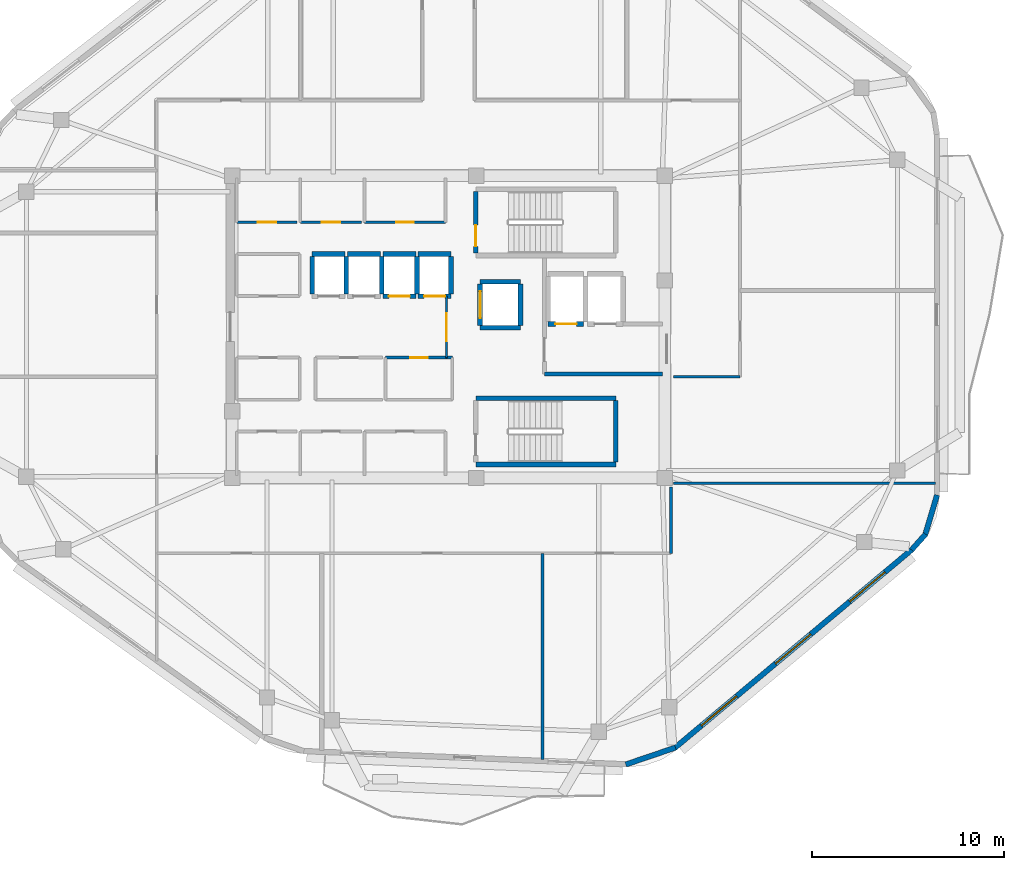
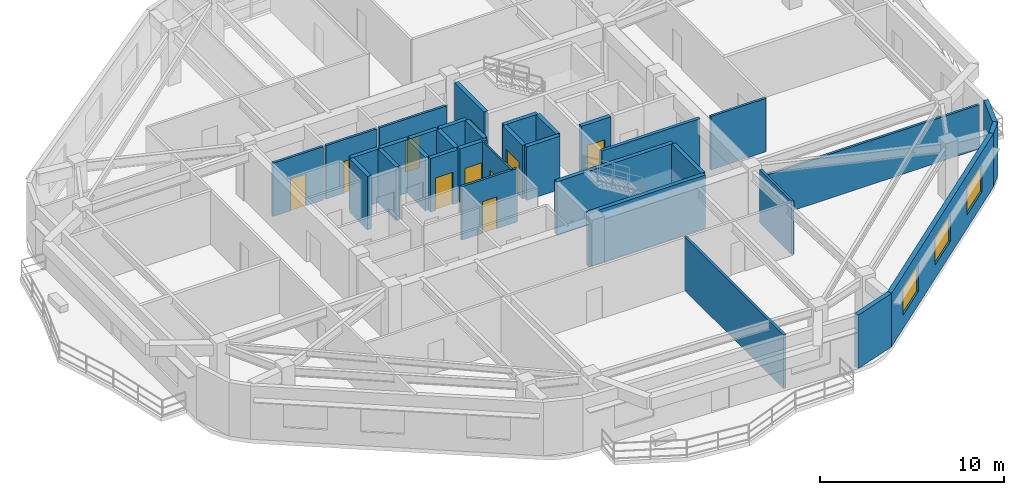
# One storey, part 7 of 12: 34 walls, 10 doors, 3 windows, 13 openings.
"""IFC4 building model written with IfcOpenShell, lengths in metres."""

from ifc_helpers import new_model, si_unit, direction, frame, frame_2d, origin, place, context, subcontext, project, spatial, rectangle, extrude, material, layer, layer_set, type_object, element, fill, save


model = new_model("IFC4")

# Units and contexts
model_context = context("Model", 3, precision=1e-05, world=origin(), true_north=direction((0.0, 1.0)))
body_context = subcontext(model_context, "Body", "Model", "MODEL_VIEW")
ifc_project = project(units=[si_unit("LENGTHUNIT", "METRE"), si_unit("AREAUNIT", "SQUARE_METRE"), si_unit("VOLUMEUNIT", "CUBIC_METRE"), si_unit("PLANEANGLEUNIT", "RADIAN"), si_unit("MASSUNIT", "GRAM", prefix="KILO")], contexts=[model_context])

# Site, building, storey
site_placement = place(None, origin())
site = spatial("IfcSite", under=ifc_project, at=site_placement, CompositionType="ELEMENT")
building_placement = place(site_placement, origin())
building = spatial("IfcBuilding", under=site, at=building_placement, Name="Zulverin Broadcast Headquarters", CompositionType="ELEMENT")
storey_placement = place(building_placement, frame((0.0, 0.0, 289.60009765625)))
storey = spatial("IfcBuildingStorey", under=building, at=storey_placement, Name="L74", CompositionType="ELEMENT", Elevation=289.60009765625)

# Wall, openings, windows
ifc_material_1 = material(Name="Insulated pale-metal clad concrete spandrel C40/50", Category="concrete")
ifc_layer_1 = layer(ifc_material_1, 0.280029296875, Name="Insulated pale-metal clad concrete spandrel C40/50", Category="concrete")
ifc_layer_set_1 = layer_set([ifc_layer_1], Name="Insulated pale-metal clad concrete spandrel C40/50")
wall_type_1 = type_object("IfcWallType", Name="WL-EXT-280", PredefinedType="STANDARD", material=ifc_layer_set_1)
wall_1_placement = place(storey_placement, frame((48.788818359375, 3.249755859375, 0.0), z_axis=(0.0, 0.0, 1.0), x_axis=(0.767032672101, 0.641608042288, 0.0)))
wall_1 = element("IfcWall", 1, at=wall_1_placement, inside=storey, type_object=wall_type_1, Name="L74 Pale-Metal Clad Spandrel Wall 2", PredefinedType="STANDARD", context=body_context, shape_type="SweptSolid", body=[
    extrude(rectangle(XDim=16.11328125, YDim=0.280029296875, at=frame_2d((8.056640625, 0.0))), origin(), (0.0, 0.0, 1.0), 3.539794921875),
])
opening_1_placement = place(wall_1_placement, frame((1.81884765625, 0.0, 0.89990234375)))
opening_1 = element("IfcOpeningElement", 2, at=opening_1_placement, cuts=wall_1, Name="Opening W-L74-E21", PredefinedType="OPENING", context=body_context, shape_type="SweptSolid", body=[
    extrude(rectangle(XDim=2.39990234375, YDim=1.75, at=frame_2d((1.199951171875, 0.875))), frame((0.0, 0.14990234375, 0.0), z_axis=(0.0, -1.0, 0.0), x_axis=(1.0, 0.0, 0.0)), (0.0, 0.0, 1.0), 0.300048828125),
])
opening_2_placement = place(wall_1_placement, frame((6.856689453125, 0.0, 0.89990234375)))
opening_2 = element("IfcOpeningElement", 3, at=opening_2_placement, cuts=wall_1, Name="Opening W-L74-E22", PredefinedType="OPENING", context=body_context, shape_type="SweptSolid", body=[
    extrude(rectangle(XDim=2.39990234375, YDim=1.75, at=frame_2d((1.199951171875, 0.875))), frame((0.0, 0.14990234375, 0.0), z_axis=(0.0, -1.0, 0.0), x_axis=(1.0, 0.0, 0.0)), (0.0, 0.0, 1.0), 0.300048828125),
])
opening_3_placement = place(wall_1_placement, frame((11.89453125, 0.0, 0.89990234375)))
opening_3 = element("IfcOpeningElement", 4, at=opening_3_placement, cuts=wall_1, Name="Opening W-L74-E23", PredefinedType="OPENING", context=body_context, shape_type="SweptSolid", body=[
    extrude(rectangle(XDim=2.39990234375, YDim=1.75, at=frame_2d((1.199951171875, 0.875))), frame((0.0, 0.14990234375, 0.0), z_axis=(0.0, -1.0, 0.0), x_axis=(1.0, 0.0, 0.0)), (0.0, 0.0, 1.0), 0.300048828125),
])
ifc_material_2 = material(Name="Pale anodized aluminium frame with solar-control low-E double glazing", Category="aluminium")
window_type = type_object("IfcWindowType", Name="WIN-RIB-2400", PartitioningType="SINGLE_PANEL", PredefinedType="WINDOW", material=ifc_material_2)
window_1_placement = place(opening_1_placement, origin())
window_1 = element("IfcWindow", 5, at=window_1_placement, inside=storey, type_object=window_type, Name="L74 Ribbon Glazing Window 2 1", OverallHeight=1.75, OverallWidth=2.39990234375, PartitioningType="SINGLE_PANEL", PredefinedType="WINDOW", context=body_context, shape_type="SweptSolid", body=[
    extrude(rectangle(XDim=2.39990234375, YDim=1.75, at=frame_2d((1.199951171875, 0.875))), frame((0.0, 0.030029296875, 0.0), z_axis=(0.0, -1.0, 0.0), x_axis=(1.0, 0.0, 0.0)), (0.0, 0.0, 1.0), 0.06005859375),
])
fill(opening_1, window_1)
window_2_placement = place(opening_2_placement, origin())
window_2 = element("IfcWindow", 6, at=window_2_placement, inside=storey, type_object=window_type, Name="L74 Ribbon Glazing Window 2 2", OverallHeight=1.75, OverallWidth=2.39990234375, PartitioningType="SINGLE_PANEL", PredefinedType="WINDOW", context=body_context, shape_type="SweptSolid", body=[
    extrude(rectangle(XDim=2.39990234375, YDim=1.75, at=frame_2d((1.199951171875, 0.875))), frame((0.0, 0.030029296875, 0.0), z_axis=(0.0, -1.0, 0.0), x_axis=(1.0, 0.0, 0.0)), (0.0, 0.0, 1.0), 0.06005859375),
])
fill(opening_2, window_2)
window_3_placement = place(opening_3_placement, origin())
window_3 = element("IfcWindow", 7, at=window_3_placement, inside=storey, type_object=window_type, Name="L74 Ribbon Glazing Window 2 3", OverallHeight=1.75, OverallWidth=2.39990234375, PartitioningType="SINGLE_PANEL", PredefinedType="WINDOW", context=body_context, shape_type="SweptSolid", body=[
    extrude(rectangle(XDim=2.39990234375, YDim=1.75, at=frame_2d((1.199951171875, 0.875))), frame((0.0, 0.030029296875, 0.0), z_axis=(0.0, -1.0, 0.0), x_axis=(1.0, 0.0, 0.0)), (0.0, 0.0, 1.0), 0.06005859375),
])
fill(opening_3, window_3)

# Walls
wall_2_placement = place(storey_placement, frame((46.239501953125, 2.392822265625, 0.0), z_axis=(0.0, 0.0, 1.0), x_axis=(0.946759165502, 0.321942669643, 0.0)))
element("IfcWall", 8, at=wall_2_placement, inside=storey, type_object=wall_type_1, Name="L74 Wind-Shaped Corner Spandrel Wall 1-1", PredefinedType="STANDARD", context=body_context, shape_type="SweptSolid", body=[
    extrude(rectangle(XDim=2.73974609375, YDim=0.280029296875, at=frame_2d((1.369873046875, 0.0))), origin(), (0.0, 0.0, 1.0), 3.539794921875),
])
wall_3_placement = place(storey_placement, frame((61.133544921875, 13.573974609375, 0.0), z_axis=(0.0, 0.0, 1.0), x_axis=(0.665804679247, 0.74612608123, 0.0)))
element("IfcWall", 9, at=wall_3_placement, inside=storey, type_object=wall_type_1, Name="L74 Wind-Shaped Corner Spandrel Wall 2-1", PredefinedType="STANDARD", context=body_context, shape_type="SweptSolid", body=[
    extrude(rectangle(XDim=1.103271484375, YDim=0.280029296875, at=frame_2d((0.5517578125, 0.0))), origin(), (0.0, 0.0, 1.0), 3.539794921875),
])
wall_4_placement = place(storey_placement, frame((61.838623046875, 14.34423828125, 0.0), z_axis=(0.0, 0.0, 1.0), x_axis=(0.287235049694, 0.957860128739, 0.0)))
element("IfcWall", 10, at=wall_4_placement, inside=storey, type_object=wall_type_1, Name="L74 Wind-Shaped Corner Spandrel Wall 2-2", PredefinedType="STANDARD", context=body_context, shape_type="SweptSolid", body=[
    extrude(rectangle(XDim=2.18359375, YDim=0.280029296875, at=frame_2d((1.091796875, 0.0))), origin(), (0.0, 0.0, 1.0), 3.539794921875),
])
ifc_material_3 = material(Name="Concrete C40/50", Category="concrete")
ifc_layer_2 = layer(ifc_material_3, 0.199951171875, Name="Concrete C40/50", Category="concrete")
ifc_layer_set_2 = layer_set([ifc_layer_2], Name="Concrete C40/50")
wall_type_2 = type_object("IfcWallType", Name="WL-FFL-200", PredefinedType="SOLIDWALL", material=ifc_layer_set_2)
wall_5_placement = place(storey_placement, frame((42.0, 22.75, 0.0), z_axis=(0.0, 0.0, 1.0), x_axis=(1.0, 0.0, 0.0)))
element("IfcWall", 11, at=wall_5_placement, inside=storey, type_object=wall_type_2, Name="L74 Firefighting Lift Lobby South Wall", PredefinedType="SOLIDWALL", context=body_context, shape_type="SweptSolid", body=[
    extrude(rectangle(XDim=6.14990234375, YDim=0.199951171875, at=frame_2d((3.074951171875, 0.0))), origin(), (0.0, 0.0, 1.0), 3.539794921875),
])

# Wall, opening, door
ifc_material_4 = material(Name="Fire-rated acoustic laminated glass screen", Category="glass")
ifc_layer_3 = layer(ifc_material_4, 0.10009765625, Name="Fire-rated acoustic laminated glass screen", Category="glass")
ifc_layer_set_3 = layer_set([ifc_layer_3], Name="Fire-rated acoustic laminated glass screen")
wall_type_3 = type_object("IfcWallType", Name="WL-GLAZ-100", PredefinedType="PARTITIONING", material=ifc_layer_set_3)
wall_6_placement = place(storey_placement, frame((36.89990234375, 23.60009765625, 0.0), z_axis=(0.0, 0.0, 1.0), x_axis=(0.0, 1.0, 0.0)))
wall_6 = element("IfcWall", 12, at=wall_6_placement, inside=storey, type_object=wall_type_3, Name="L74 Core Goods & Stair Hall Screen", PredefinedType="PARTITIONING", context=body_context, shape_type="SweptSolid", body=[
    extrude(rectangle(XDim=3.199951171875, YDim=0.10009765625, at=frame_2d((1.60009765625, 0.0))), origin(), (0.0, 0.0, 1.0), 3.539794921875),
])
opening_4_placement = place(wall_6_placement, frame((0.85009765625, 0.0, 0.0)))
opening_4 = element("IfcOpeningElement", 13, at=opening_4_placement, cuts=wall_6, Name="Opening D-L74-CL3", PredefinedType="OPENING", context=body_context, shape_type="SweptSolid", body=[
    extrude(rectangle(XDim=1.449951171875, YDim=2.1201171875, at=frame_2d((0.72509765625, 1.06005859375))), frame((0.0, 0.06005859375, 0.0), z_axis=(0.0, -1.0, 0.0), x_axis=(1.0, 0.0, 0.0)), (0.0, 0.0, 1.0), 0.1201171875),
])
ifc_material_5 = material(Name="Fire-rated acoustic glazed double leaf", Category="glass")
door_type_1 = type_object("IfcDoorType", Name="DR-GLZ-1450", OperationType="DOUBLE_DOOR_SINGLE_SWING", PredefinedType="DOOR", material=ifc_material_5)
door_1_placement = place(opening_4_placement, origin())
door_1 = element("IfcDoor", 14, at=door_1_placement, inside=storey, type_object=door_type_1, Name="L74 Core Goods & Stair Hall Door", OperationType="DOUBLE_DOOR_SINGLE_SWING", OverallHeight=2.1201171875, OverallWidth=1.449951171875, PredefinedType="DOOR", context=body_context, shape_type="SweptSolid", body=[
    extrude(rectangle(XDim=1.449951171875, YDim=2.1201171875, at=frame_2d((0.72509765625, 1.06005859375))), frame((0.0, 0.02490234375, 0.0), z_axis=(0.0, -1.0, 0.0), x_axis=(1.0, 0.0, 0.0)), (0.0, 0.0, 1.0), 0.050048828125),
])
fill(opening_4, door_1)

ifc_material_6 = material(Name="Fire-rated gypsum stud partition", Category="gypsum")
ifc_layer_4 = layer(ifc_material_6, 0.14990234375, Name="Fire-rated gypsum stud partition", Category="gypsum")
ifc_layer_set_4 = layer_set([ifc_layer_4], Name="Fire-rated gypsum stud partition")
wall_type_4 = type_object("IfcWallType", Name="WL-PART-150", PredefinedType="PARTITIONING", material=ifc_layer_set_4)
wall_7_placement = place(storey_placement, frame((25.969970703125, 30.64990234375, 0.0), z_axis=(0.0, 0.0, 1.0), x_axis=(1.0, 0.0, 0.0)))
wall_7 = element("IfcWall", 15, at=wall_7_placement, inside=storey, type_object=wall_type_4, Name="L74 Core Male WC Front Wall", PredefinedType="PARTITIONING", context=body_context, shape_type="SweptSolid", body=[
    extrude(rectangle(XDim=3.150146484375, YDim=0.14990234375, at=frame_2d((1.5751953125, 0.0))), origin(), (0.0, 0.0, 1.0), 3.539794921875),
])
opening_5_placement = place(wall_7_placement, frame((1.10009765625, 0.0, 0.0)))
opening_5 = element("IfcOpeningElement", 16, at=opening_5_placement, cuts=wall_7, Name="Opening D-L74-NC1", PredefinedType="OPENING", context=body_context, shape_type="SweptSolid", body=[
    extrude(rectangle(XDim=0.949951171875, YDim=2.10009765625, at=frame_2d((0.47509765625, 1.050048828125))), frame((0.0, 0.0849609375, 0.0), z_axis=(0.0, -1.0, 0.0), x_axis=(1.0, 0.0, 0.0)), (0.0, 0.0, 1.0), 0.169921875),
])
ifc_material_7 = material(Name="Fire-rated moisture-resistant laminate leaf", Category="wood")
door_type_2 = type_object("IfcDoorType", Name="DR-WC-950", OperationType="SINGLE_SWING_LEFT", PredefinedType="DOOR", material=ifc_material_7)
door_2_placement = place(opening_5_placement, origin())
door_2 = element("IfcDoor", 17, at=door_2_placement, inside=storey, type_object=door_type_2, Name="L74 Male WC Door", OperationType="SINGLE_SWING_LEFT", OverallHeight=2.10009765625, OverallWidth=0.949951171875, PredefinedType="DOOR", context=body_context, shape_type="SweptSolid", body=[
    extrude(rectangle(XDim=0.949951171875, YDim=2.10009765625, at=frame_2d((0.47509765625, 1.050048828125))), frame((0.0, 0.02490234375, 0.0), z_axis=(0.0, -1.0, 0.0), x_axis=(1.0, 0.0, 0.0)), (0.0, 0.0, 1.0), 0.050048828125),
])
fill(opening_5, door_2)

wall_8_placement = place(storey_placement, frame((29.280029296875, 30.64990234375, 0.0), z_axis=(0.0, 0.0, 1.0), x_axis=(1.0, 0.0, 0.0)))
wall_8 = element("IfcWall", 18, at=wall_8_placement, inside=storey, type_object=wall_type_4, Name="L74 Core Accessible WC Front Wall", PredefinedType="PARTITIONING", context=body_context, shape_type="SweptSolid", body=[
    extrude(rectangle(XDim=3.18994140625, YDim=0.14990234375, at=frame_2d((1.594970703125, 0.0))), origin(), (0.0, 0.0, 1.0), 3.539794921875),
])
opening_6_placement = place(wall_8_placement, frame((1.1201171875, 0.0, 0.0)))
opening_6 = element("IfcOpeningElement", 19, at=opening_6_placement, cuts=wall_8, Name="Opening D-L74-NC2", PredefinedType="OPENING", context=body_context, shape_type="SweptSolid", body=[
    extrude(rectangle(XDim=0.949951171875, YDim=2.10009765625, at=frame_2d((0.47509765625, 1.050048828125))), frame((0.0, 0.0849609375, 0.0), z_axis=(0.0, -1.0, 0.0), x_axis=(1.0, 0.0, 0.0)), (0.0, 0.0, 1.0), 0.169921875),
])
door_3_placement = place(opening_6_placement, origin())
door_3 = element("IfcDoor", 20, at=door_3_placement, inside=storey, type_object=door_type_2, Name="L74 Accessible WC Door", OperationType="SINGLE_SWING_RIGHT", OverallHeight=2.10009765625, OverallWidth=0.949951171875, PredefinedType="DOOR", context=body_context, shape_type="SweptSolid", body=[
    extrude(rectangle(XDim=0.949951171875, YDim=2.10009765625, at=frame_2d((0.47509765625, 1.050048828125))), frame((0.0, 0.02490234375, 0.0), z_axis=(0.0, -1.0, 0.0), x_axis=(1.0, 0.0, 0.0)), (0.0, 0.0, 1.0), 0.050048828125),
])
fill(opening_6, door_3)

wall_9_placement = place(storey_placement, frame((32.6298828125, 30.64990234375, 0.0), z_axis=(0.0, 0.0, 1.0), x_axis=(1.0, 0.0, 0.0)))
wall_9 = element("IfcWall", 21, at=wall_9_placement, inside=storey, type_object=wall_type_4, Name="L74 Core Electrical Distribution Riser Front Wall", PredefinedType="PARTITIONING", context=body_context, shape_type="SweptSolid", body=[
    extrude(rectangle(XDim=4.22021484375, YDim=0.14990234375, at=frame_2d((2.110107421875, 0.0))), origin(), (0.0, 0.0, 1.0), 3.539794921875),
])
opening_7_placement = place(wall_9_placement, frame((1.659912109375, 0.0, 0.0)))
opening_7 = element("IfcOpeningElement", 22, at=opening_7_placement, cuts=wall_9, Name="Opening D-L74-NC3", PredefinedType="OPENING", context=body_context, shape_type="SweptSolid", body=[
    extrude(rectangle(XDim=0.89990234375, YDim=2.10009765625, at=frame_2d((0.449951171875, 1.050048828125))), frame((0.0, 0.0849609375, 0.0), z_axis=(0.0, -1.0, 0.0), x_axis=(1.0, 0.0, 0.0)), (0.0, 0.0, 1.0), 0.169921875),
])
ifc_material_8 = material(Name="Powder-coated steel access leaf", Category="steel")
door_type_3 = type_object("IfcDoorType", Name="DR-RISER-900", OperationType="SINGLE_SWING_LEFT", PredefinedType="DOOR", material=ifc_material_8)
door_4_placement = place(opening_7_placement, origin())
door_4 = element("IfcDoor", 23, at=door_4_placement, inside=storey, type_object=door_type_3, Name="L74 Electrical Distribution Riser Door", OperationType="SINGLE_SWING_LEFT", OverallHeight=2.10009765625, OverallWidth=0.89990234375, PredefinedType="DOOR", context=body_context, shape_type="SweptSolid", body=[
    extrude(rectangle(XDim=0.89990234375, YDim=2.10009765625, at=frame_2d((0.449951171875, 1.050048828125))), frame((0.0, 0.02490234375, 0.0), z_axis=(0.0, -1.0, 0.0), x_axis=(1.0, 0.0, 0.0)), (0.0, 0.0, 1.0), 0.050048828125),
])
fill(opening_7, door_4)

wall_10_placement = place(storey_placement, frame((33.719970703125, 23.60009765625, 0.0), z_axis=(0.0, 0.0, 1.0), x_axis=(1.0, 0.0, 0.0)))
wall_10 = element("IfcWall", 24, at=wall_10_placement, inside=storey, type_object=wall_type_4, Name="L74 Executive Floor Pantry Store N Wall", PredefinedType="PARTITIONING", context=body_context, shape_type="SweptSolid", body=[
    extrude(rectangle(XDim=3.47998046875, YDim=0.14990234375, at=frame_2d((1.739990234375, 0.0))), origin(), (0.0, 0.0, 1.0), 3.539794921875),
])
opening_8_placement = place(wall_10_placement, frame((1.2900390625, 0.0, 0.0)))
opening_8 = element("IfcOpeningElement", 25, at=opening_8_placement, cuts=wall_10, Name="Opening D-L74-RM2", PredefinedType="OPENING", context=body_context, shape_type="SweptSolid", body=[
    extrude(rectangle(XDim=0.89990234375, YDim=2.10009765625, at=frame_2d((0.449951171875, 1.050048828125))), frame((0.0, 0.0849609375, 0.0), z_axis=(0.0, -1.0, 0.0), x_axis=(1.0, 0.0, 0.0)), (0.0, 0.0, 1.0), 0.169921875),
])
door_5_placement = place(opening_8_placement, origin())
door_5 = element("IfcDoor", 26, at=door_5_placement, inside=storey, type_object=door_type_3, Name="L74 Executive Floor Pantry Store Door", OperationType="SINGLE_SWING_RIGHT", OverallHeight=2.10009765625, OverallWidth=0.89990234375, PredefinedType="DOOR", context=body_context, shape_type="SweptSolid", body=[
    extrude(rectangle(XDim=0.89990234375, YDim=2.10009765625, at=frame_2d((0.449951171875, 1.050048828125))), frame((0.0, 0.02490234375, 0.0), z_axis=(0.0, -1.0, 0.0), x_axis=(1.0, 0.0, 0.0)), (0.0, 0.0, 1.0), 0.050048828125),
])
fill(opening_8, door_5)

# Walls
wall_11_placement = place(storey_placement, frame((48.60009765625, 13.39990234375, 0.0), z_axis=(0.0, 0.0, 1.0), x_axis=(0.0, 1.0, 0.0)))
element("IfcWall", 27, at=wall_11_placement, inside=storey, type_object=wall_type_4, Name="L74 Gallery Partition Wall CG-02", PredefinedType="PARTITIONING", context=body_context, shape_type="SweptSolid", body=[
    extrude(rectangle(XDim=3.460205078125, YDim=0.14990234375, at=frame_2d((1.72998046875, 0.0))), origin(), (0.0, 0.0, 1.0), 3.539794921875),
])
wall_12_placement = place(storey_placement, frame((41.89990234375, 2.6455078125, 0.0), z_axis=(0.0, 0.0, 1.0), x_axis=(0.0, 1.0, 0.0)))
element("IfcWall", 28, at=wall_12_placement, inside=storey, type_object=wall_type_4, Name="L74 Room Partition Wall RP-04", PredefinedType="PARTITIONING", context=body_context, shape_type="SweptSolid", body=[
    extrude(rectangle(XDim=10.75439453125, YDim=0.14990234375, at=frame_2d((5.377197265625, 0.0))), origin(), (0.0, 0.0, 1.0), 3.539794921875),
])
wall_13_placement = place(storey_placement, frame((48.739990234375, 17.050048828125, 0.0), z_axis=(0.0, 0.0, 1.0), x_axis=(1.0, 0.0, 0.0)))
element("IfcWall", 29, at=wall_13_placement, inside=storey, type_object=wall_type_4, Name="L74 Room Partition Wall RP-11", PredefinedType="PARTITIONING", context=body_context, shape_type="SweptSolid", body=[
    extrude(rectangle(XDim=13.655029296875, YDim=0.14990234375, at=frame_2d((6.82763671875, 0.0))), origin(), (0.0, 0.0, 1.0), 2.922607421875),
])
wall_14_placement = place(storey_placement, frame((48.739990234375, 22.60009765625, 0.0), z_axis=(0.0, 0.0, 1.0), x_axis=(1.0, 0.0, 0.0)))
element("IfcWall", 30, at=wall_14_placement, inside=storey, type_object=wall_type_4, Name="L74 Gallery Partition Wall CG-13", PredefinedType="PARTITIONING", context=body_context, shape_type="SweptSolid", body=[
    extrude(rectangle(XDim=3.4599609375, YDim=0.14990234375, at=frame_2d((1.72998046875, 0.0))), origin(), (0.0, 0.0, 1.0), 3.539794921875),
])

# Wall, opening, door
ifc_material_9 = material(Name="Concrete C50/60", Category="concrete")
ifc_layer_5 = layer(ifc_material_9, 0.25, Name="Concrete C50/60", Category="concrete")
ifc_layer_set_5 = layer_set([ifc_layer_5], Name="Concrete C50/60")
wall_type_5 = type_object("IfcWallType", Name="WL-SHAFT-250", PredefinedType="SHEAR", material=ifc_layer_set_5)
wall_15_placement = place(storey_placement, frame((38.425048828125, 29.050048828125, 0.0), z_axis=(0.0, 0.0, 1.0), x_axis=(0.0, 1.0, 0.0)))
wall_15 = element("IfcWall", 31, at=wall_15_placement, inside=storey, type_object=wall_type_5, Name="L74 ST-1 Enclosure Wall W", PredefinedType="SHEAR", context=body_context, shape_type="SweptSolid", body=[
    extrude(rectangle(XDim=3.199951171875, YDim=0.25, at=frame_2d((1.60009765625, 0.0))), origin(), (0.0, 0.0, 1.0), 3.539794921875),
])
opening_9_placement = place(wall_15_placement, frame((0.35009765625, 0.0, 0.0)))
opening_9 = element("IfcOpeningElement", 32, at=opening_9_placement, cuts=wall_15, Name="Opening D-L74-ST-1", PredefinedType="OPENING", context=body_context, shape_type="SweptSolid", body=[
    extrude(rectangle(XDim=1.10009765625, YDim=2.14990234375, at=frame_2d((0.550048828125, 1.074951171875))), frame((0.0, 0.135009765625, 0.0), z_axis=(0.0, -1.0, 0.0), x_axis=(1.0, 0.0, 0.0)), (0.0, 0.0, 1.0), 0.27001953125),
])
ifc_material_10 = material(Name="Fire-rated steel leaf and frame", Category="steel")
door_type_4 = type_object("IfcDoorType", Name="DR-STAIR-1100", OperationType="SINGLE_SWING_LEFT", PredefinedType="DOOR", material=ifc_material_10)
door_6_placement = place(opening_9_placement, origin())
door_6 = element("IfcDoor", 33, at=door_6_placement, inside=storey, type_object=door_type_4, Name="L74 Exit Stair ST-1 Fire Door", OperationType="SINGLE_SWING_LEFT", OverallHeight=2.14990234375, OverallWidth=1.10009765625, PredefinedType="DOOR", context=body_context, shape_type="SweptSolid", body=[
    extrude(rectangle(XDim=1.10009765625, YDim=2.14990234375, at=frame_2d((0.550048828125, 1.074951171875))), frame((0.0, 0.02490234375, 0.0), z_axis=(0.0, -1.0, 0.0), x_axis=(1.0, 0.0, 0.0)), (0.0, 0.0, 1.0), 0.050048828125),
])
fill(opening_9, door_6)

# Walls
for number, where, z_axis, x_axis, name in (
    (34, (38.425048828125, 18.02490234375, 0.0), (0.0, 0.0, 1.0), (1.0, 0.0, 0.0), "L74 ST-2 Enclosure Wall S"),
    (35, (38.425048828125, 21.47509765625, 0.0), (0.0, 0.0, 1.0), (1.0, 0.0, 0.0), "L74 ST-2 Enclosure Wall N"),
):
    element("IfcWall", number, at=place(storey_placement, frame(where, z_axis=z_axis, x_axis=x_axis)), inside=storey, type_object=wall_type_5, Name=name, PredefinedType="SHEAR", context=body_context, shape_type="SweptSolid", body=[
        extrude(rectangle(XDim=7.300048828125, YDim=0.25, at=frame_2d((3.64990234375, 0.0))), origin(), (0.0, 0.0, 1.0), 3.539794921875),
    ])
wall_16_placement = place(storey_placement, frame((45.72509765625, 18.14990234375, 0.0), z_axis=(0.0, 0.0, 1.0), x_axis=(0.0, 1.0, 0.0)))
element("IfcWall", 36, at=wall_16_placement, inside=storey, type_object=wall_type_5, Name="L74 ST-2 Enclosure Wall E", PredefinedType="SHEAR", context=body_context, shape_type="SweptSolid", body=[
    extrude(rectangle(XDim=3.2001953125, YDim=0.25, at=frame_2d((1.60009765625, 0.0))), origin(), (0.0, 0.0, 1.0), 3.539794921875),
])
wall_17_placement = place(storey_placement, frame((29.89990234375, 29.0, 0.0), z_axis=(0.0, 0.0, 1.0), x_axis=(1.0, 0.0, 0.0)))
element("IfcWall", 37, at=wall_17_placement, inside=storey, type_object=wall_type_5, Name="L74 Lift PL-H1 Shaft Wall N", PredefinedType="SHEAR", context=body_context, shape_type="SweptSolid", body=[
    extrude(rectangle(XDim=1.72021484375, YDim=0.25, at=frame_2d((0.860107421875, 0.0))), origin(), (0.0, 0.0, 1.0), 3.539794921875),
])
for number, where, z_axis, x_axis, name in (
    (38, (29.89990234375, 26.919921875, 0.0), (0.0, 0.0, 1.0), (0.0, 1.0, 0.0), "L74 Lift PL-H1 Shaft Wall W"),
    (39, (31.679931640625, 26.919921875, 0.0), (0.0, 0.0, 1.0), (0.0, 1.0, 0.0), "L74 Lift PL-H1 Shaft Wall E"),
):
    element("IfcWall", number, at=place(storey_placement, frame(where, z_axis=z_axis, x_axis=x_axis)), inside=storey, type_object=wall_type_5, Name=name, PredefinedType="SHEAR", context=body_context, shape_type="SweptSolid", body=[
        extrude(rectangle(XDim=1.9599609375, YDim=0.25, at=frame_2d((0.97998046875, 0.0))), origin(), (0.0, 0.0, 1.0), 3.539794921875),
    ])
wall_18_placement = place(storey_placement, frame((31.739990234375, 29.0, 0.0), z_axis=(0.0, 0.0, 1.0), x_axis=(1.0, 0.0, 0.0)))
element("IfcWall", 40, at=wall_18_placement, inside=storey, type_object=wall_type_5, Name="L74 Lift PL-H2 Shaft Wall N", PredefinedType="SHEAR", context=body_context, shape_type="SweptSolid", body=[
    extrude(rectangle(XDim=1.719970703125, YDim=0.25, at=frame_2d((0.85986328125, 0.0))), origin(), (0.0, 0.0, 1.0), 3.539794921875),
])
wall_19_placement = place(storey_placement, frame((33.52001953125, 26.919921875, 0.0), z_axis=(0.0, 0.0, 1.0), x_axis=(0.0, 1.0, 0.0)))
element("IfcWall", 41, at=wall_19_placement, inside=storey, type_object=wall_type_5, Name="L74 Lift PL-H2 Shaft Wall E", PredefinedType="SHEAR", context=body_context, shape_type="SweptSolid", body=[
    extrude(rectangle(XDim=1.9599609375, YDim=0.25, at=frame_2d((0.97998046875, 0.0))), origin(), (0.0, 0.0, 1.0), 3.539794921875),
])

# Wall, opening, door
wall_20_placement = place(storey_placement, frame((33.580078125, 26.800048828125, 0.0), z_axis=(0.0, 0.0, 1.0), x_axis=(1.0, 0.0, 0.0)))
wall_20 = element("IfcWall", 42, at=wall_20_placement, inside=storey, type_object=wall_type_5, Name="L74 Lift PL-H3 Shaft Wall S", PredefinedType="SHEAR", context=body_context, shape_type="SweptSolid", body=[
    extrude(rectangle(XDim=1.719970703125, YDim=0.25, at=frame_2d((0.85986328125, 0.0))), origin(), (0.0, 0.0, 1.0), 3.539794921875),
])
opening_10_placement = place(wall_20_placement, frame((0.31005859375, 0.0, 0.0)))
opening_10 = element("IfcOpeningElement", 43, at=opening_10_placement, cuts=wall_20, Name="Opening LD-PL-H3-L74", PredefinedType="OPENING", context=body_context, shape_type="SweptSolid", body=[
    extrude(rectangle(XDim=1.10009765625, YDim=2.14990234375, at=frame_2d((0.550048828125, 1.074951171875))), frame((0.0, 0.135009765625, 0.0), z_axis=(0.0, -1.0, 0.0), x_axis=(1.0, 0.0, 0.0)), (0.0, 0.0, 1.0), 0.27001953125),
])
ifc_material_11 = material(Name="Brushed stainless steel landing", Category="steel")
door_type_5 = type_object("IfcDoorType", Name="LD-PASS-1100", OperationType="DOUBLE_DOOR_SLIDING", PredefinedType="DOOR", material=ifc_material_11)
door_7_placement = place(opening_10_placement, origin())
door_7 = element("IfcDoor", 44, at=door_7_placement, inside=storey, type_object=door_type_5, Name="L74 Lift PL-H3 Sliding Landing Door", OperationType="DOUBLE_DOOR_SLIDING", OverallHeight=2.14990234375, OverallWidth=1.10009765625, PredefinedType="DOOR", context=body_context, shape_type="SweptSolid", body=[
    extrude(rectangle(XDim=1.10009765625, YDim=2.14990234375, at=frame_2d((0.550048828125, 1.074951171875))), frame((0.0, 0.02490234375, 0.0), z_axis=(0.0, -1.0, 0.0), x_axis=(1.0, 0.0, 0.0)), (0.0, 0.0, 1.0), 0.050048828125),
])
fill(opening_10, door_7)

# Walls
wall_21_placement = place(storey_placement, frame((33.580078125, 29.0, 0.0), z_axis=(0.0, 0.0, 1.0), x_axis=(1.0, 0.0, 0.0)))
element("IfcWall", 45, at=wall_21_placement, inside=storey, type_object=wall_type_5, Name="L74 Lift PL-H3 Shaft Wall N", PredefinedType="SHEAR", context=body_context, shape_type="SweptSolid", body=[
    extrude(rectangle(XDim=1.719970703125, YDim=0.25, at=frame_2d((0.85986328125, 0.0))), origin(), (0.0, 0.0, 1.0), 3.539794921875),
])
wall_22_placement = place(storey_placement, frame((35.360107421875, 26.919921875, 0.0), z_axis=(0.0, 0.0, 1.0), x_axis=(0.0, 1.0, 0.0)))
element("IfcWall", 46, at=wall_22_placement, inside=storey, type_object=wall_type_5, Name="L74 Lift PL-H3 Shaft Wall E", PredefinedType="SHEAR", context=body_context, shape_type="SweptSolid", body=[
    extrude(rectangle(XDim=1.9599609375, YDim=0.25, at=frame_2d((0.97998046875, 0.0))), origin(), (0.0, 0.0, 1.0), 3.539794921875),
])

# Wall, opening, door
wall_23_placement = place(storey_placement, frame((35.419921875, 26.800048828125, 0.0), z_axis=(0.0, 0.0, 1.0), x_axis=(1.0, 0.0, 0.0)))
wall_23 = element("IfcWall", 47, at=wall_23_placement, inside=storey, type_object=wall_type_5, Name="L74 Lift PL-H4 Shaft Wall S", PredefinedType="SHEAR", context=body_context, shape_type="SweptSolid", body=[
    extrude(rectangle(XDim=1.719970703125, YDim=0.25, at=frame_2d((0.85986328125, 0.0))), origin(), (0.0, 0.0, 1.0), 3.539794921875),
])
opening_11_placement = place(wall_23_placement, frame((0.31005859375, 0.0, 0.0)))
opening_11 = element("IfcOpeningElement", 48, at=opening_11_placement, cuts=wall_23, Name="Opening LD-PL-H4-L74", PredefinedType="OPENING", context=body_context, shape_type="SweptSolid", body=[
    extrude(rectangle(XDim=1.10009765625, YDim=2.14990234375, at=frame_2d((0.550048828125, 1.074951171875))), frame((0.0, 0.135009765625, 0.0), z_axis=(0.0, -1.0, 0.0), x_axis=(1.0, 0.0, 0.0)), (0.0, 0.0, 1.0), 0.27001953125),
])
door_8_placement = place(opening_11_placement, origin())
door_8 = element("IfcDoor", 49, at=door_8_placement, inside=storey, type_object=door_type_5, Name="L74 Lift PL-H4 Sliding Landing Door", OperationType="DOUBLE_DOOR_SLIDING", OverallHeight=2.14990234375, OverallWidth=1.10009765625, PredefinedType="DOOR", context=body_context, shape_type="SweptSolid", body=[
    extrude(rectangle(XDim=1.10009765625, YDim=2.14990234375, at=frame_2d((0.550048828125, 1.074951171875))), frame((0.0, 0.02490234375, 0.0), z_axis=(0.0, -1.0, 0.0), x_axis=(1.0, 0.0, 0.0)), (0.0, 0.0, 1.0), 0.050048828125),
])
fill(opening_11, door_8)

# Walls
wall_24_placement = place(storey_placement, frame((35.419921875, 29.0, 0.0), z_axis=(0.0, 0.0, 1.0), x_axis=(1.0, 0.0, 0.0)))
element("IfcWall", 50, at=wall_24_placement, inside=storey, type_object=wall_type_5, Name="L74 Lift PL-H4 Shaft Wall N", PredefinedType="SHEAR", context=body_context, shape_type="SweptSolid", body=[
    extrude(rectangle(XDim=1.719970703125, YDim=0.25, at=frame_2d((0.85986328125, 0.0))), origin(), (0.0, 0.0, 1.0), 3.539794921875),
])
wall_25_placement = place(storey_placement, frame((37.139892578125, 26.919921875, 0.0), z_axis=(0.0, 0.0, 1.0), x_axis=(0.0, 1.0, 0.0)))
element("IfcWall", 51, at=wall_25_placement, inside=storey, type_object=wall_type_5, Name="L74 Lift PL-H4 Shaft Wall E", PredefinedType="SHEAR", context=body_context, shape_type="SweptSolid", body=[
    extrude(rectangle(XDim=1.9599609375, YDim=0.25, at=frame_2d((0.97998046875, 0.0))), origin(), (0.0, 0.0, 1.0), 3.539794921875),
])

# Wall, opening, door
wall_26_placement = place(storey_placement, frame((42.199951171875, 25.35009765625, 0.0), z_axis=(0.0, 0.0, 1.0), x_axis=(1.0, 0.0, 0.0)))
wall_26 = element("IfcWall", 52, at=wall_26_placement, inside=storey, type_object=wall_type_5, Name="L74 Lift FFL-1 Shaft Wall S", PredefinedType="SHEAR", context=body_context, shape_type="SweptSolid", body=[
    extrude(rectangle(XDim=1.85009765625, YDim=0.25, at=frame_2d((0.925048828125, 0.0))), origin(), (0.0, 0.0, 1.0), 3.539794921875),
])
opening_12_placement = place(wall_26_placement, frame((0.375, 0.0, 0.0)))
opening_12 = element("IfcOpeningElement", 53, at=opening_12_placement, cuts=wall_26, Name="Opening LD-FFL-1-L74", PredefinedType="OPENING", context=body_context, shape_type="SweptSolid", body=[
    extrude(rectangle(XDim=1.10009765625, YDim=2.14990234375, at=frame_2d((0.550048828125, 1.074951171875))), frame((0.0, 0.135009765625, 0.0), z_axis=(0.0, -1.0, 0.0), x_axis=(1.0, 0.0, 0.0)), (0.0, 0.0, 1.0), 0.27001953125),
])
ifc_material_12 = material(Name="Fire-rated stainless landing door", Category="steel")
door_type_6 = type_object("IfcDoorType", Name="LD-FFL-1100", OperationType="DOUBLE_DOOR_SLIDING", PredefinedType="DOOR", material=ifc_material_12)
door_9_placement = place(opening_12_placement, origin())
door_9 = element("IfcDoor", 54, at=door_9_placement, inside=storey, type_object=door_type_6, Name="L74 Lift FFL-1 Sliding Landing Door", OperationType="DOUBLE_DOOR_SLIDING", OverallHeight=2.14990234375, OverallWidth=1.10009765625, PredefinedType="DOOR", context=body_context, shape_type="SweptSolid", body=[
    extrude(rectangle(XDim=1.10009765625, YDim=2.14990234375, at=frame_2d((0.550048828125, 1.074951171875))), frame((0.0, 0.02490234375, 0.0), z_axis=(0.0, -1.0, 0.0), x_axis=(1.0, 0.0, 0.0)), (0.0, 0.0, 1.0), 0.050048828125),
])
fill(opening_12, door_9)

# Walls
for number, where, z_axis, x_axis, name in (
    (55, (38.64990234375, 25.14990234375, 0.0), (0.0, 0.0, 1.0), (1.0, 0.0, 0.0), "L74 Lift SVL-1 Shaft Wall S"),
    (56, (38.64990234375, 27.550048828125, 0.0), (0.0, 0.0, 1.0), (1.0, 0.0, 0.0), "L74 Lift SVL-1 Shaft Wall N"),
):
    element("IfcWall", number, at=place(storey_placement, frame(where, z_axis=z_axis, x_axis=x_axis)), inside=storey, type_object=wall_type_5, Name=name, PredefinedType="SHEAR", context=body_context, shape_type="SweptSolid", body=[
        extrude(rectangle(XDim=2.10009765625, YDim=0.25, at=frame_2d((1.050048828125, 0.0))), origin(), (0.0, 0.0, 1.0), 3.539794921875),
    ])

# Wall, opening, door
wall_27_placement = place(storey_placement, frame((38.64990234375, 25.27001953125, 0.0), z_axis=(0.0, 0.0, 1.0), x_axis=(0.0, 1.0, 0.0)))
wall_27 = element("IfcWall", 57, at=wall_27_placement, inside=storey, type_object=wall_type_5, Name="L74 Lift SVL-1 Shaft Wall W", PredefinedType="SHEAR", context=body_context, shape_type="SweptSolid", body=[
    extrude(rectangle(XDim=2.159912109375, YDim=0.25, at=frame_2d((1.080078125, 0.0))), origin(), (0.0, 0.0, 1.0), 3.539794921875),
])
opening_13_placement = place(wall_27_placement, frame((0.3798828125, 0.0, 0.0)))
opening_13 = element("IfcOpeningElement", 58, at=opening_13_placement, cuts=wall_27, Name="Opening LD-SVL-1-L74", PredefinedType="OPENING", context=body_context, shape_type="SweptSolid", body=[
    extrude(rectangle(XDim=1.39990234375, YDim=2.199951171875, at=frame_2d((0.699951171875, 1.10009765625))), frame((0.0, 0.135009765625, 0.0), z_axis=(0.0, -1.0, 0.0), x_axis=(1.0, 0.0, 0.0)), (0.0, 0.0, 1.0), 0.27001953125),
])
ifc_material_13 = material(Name="Heavy-duty stainless landing door", Category="steel")
door_type_7 = type_object("IfcDoorType", Name="LD-GOODS-1400", OperationType="DOUBLE_DOOR_SLIDING", PredefinedType="DOOR", material=ifc_material_13)
door_10_placement = place(opening_13_placement, origin())
door_10 = element("IfcDoor", 59, at=door_10_placement, inside=storey, type_object=door_type_7, Name="L74 Lift SVL-1 Sliding Landing Door", OperationType="DOUBLE_DOOR_SLIDING", OverallHeight=2.199951171875, OverallWidth=1.39990234375, PredefinedType="DOOR", context=body_context, shape_type="SweptSolid", body=[
    extrude(rectangle(XDim=1.39990234375, YDim=2.199951171875, at=frame_2d((0.699951171875, 1.10009765625))), frame((0.0, 0.02490234375, 0.0), z_axis=(0.0, -1.0, 0.0), x_axis=(1.0, 0.0, 0.0)), (0.0, 0.0, 1.0), 0.050048828125),
])
fill(opening_13, door_10)

# Wall
wall_28_placement = place(storey_placement, frame((40.75, 25.27001953125, 0.0), z_axis=(0.0, 0.0, 1.0), x_axis=(0.0, 1.0, 0.0)))
element("IfcWall", 60, at=wall_28_placement, inside=storey, type_object=wall_type_5, Name="L74 Lift SVL-1 Shaft Wall E", PredefinedType="SHEAR", context=body_context, shape_type="SweptSolid", body=[
    extrude(rectangle(XDim=2.159912109375, YDim=0.25, at=frame_2d((1.080078125, 0.0))), origin(), (0.0, 0.0, 1.0), 3.539794921875),
])

save(model, "model.ifc")
